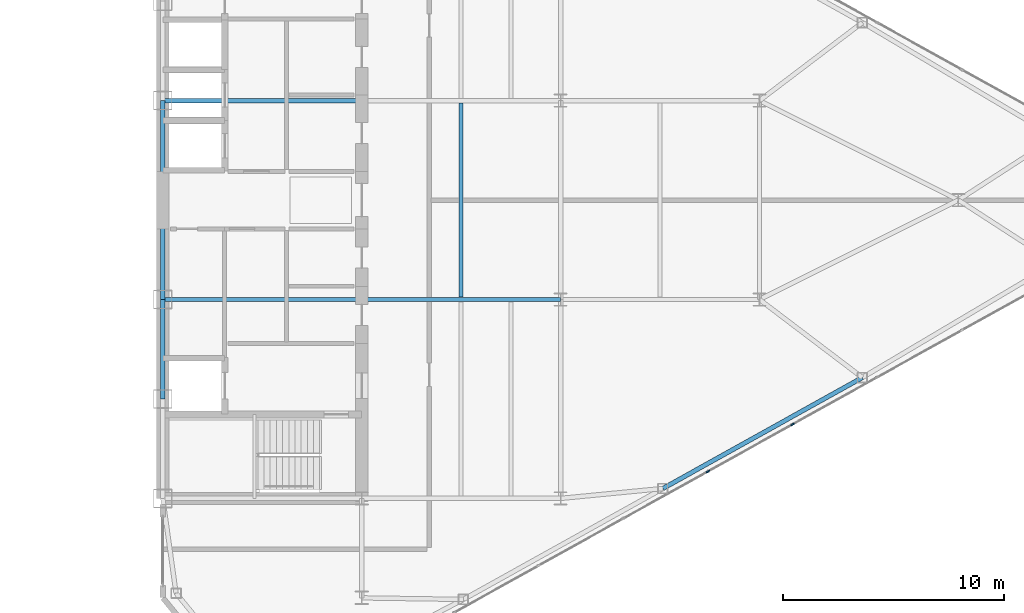
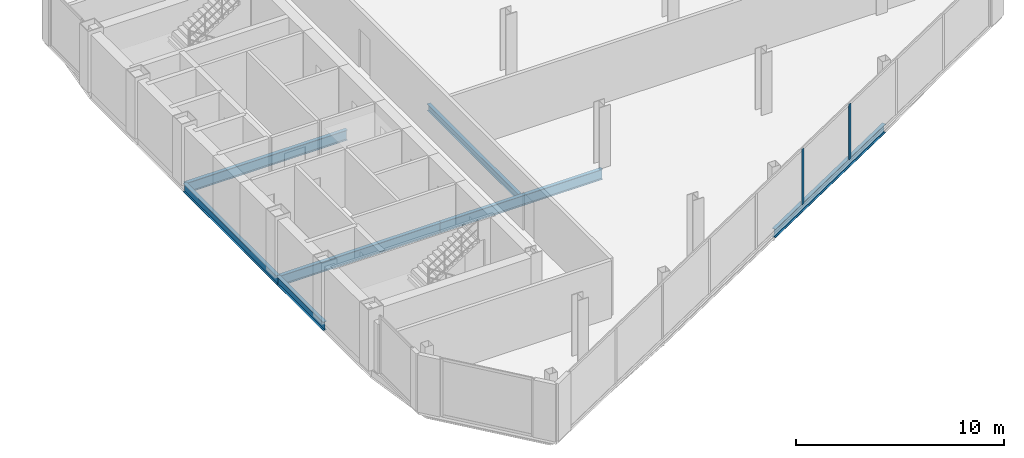
# One storey, part 13 of 26: 7 beams, 2 members, 1 element without a shape of its own.
"""IFC4 building model written with IfcOpenShell, lengths in metres."""

from ifc_helpers import new_model, si_unit, direction, frame, origin, origin_2d, place, context, subcontext, project, spatial, rectangle, i_section, extrude, source, transform, mapped, material, layer, layer_set, material_profile, profile_set, type_object, type_shapes, element, aggregate, save


model = new_model("IFC4")

# Units and contexts
model_context = context("Model", 3, precision=1e-05, world=origin(), true_north=direction((0.0, 1.0)))
body_context = subcontext(model_context, "Body", "Model", "MODEL_VIEW")
ifc_project = project(units=[si_unit("LENGTHUNIT", "METRE"), si_unit("AREAUNIT", "SQUARE_METRE"), si_unit("VOLUMEUNIT", "CUBIC_METRE"), si_unit("PLANEANGLEUNIT", "RADIAN"), si_unit("MASSUNIT", "GRAM", prefix="KILO")], contexts=[model_context])

# Site, building, storey
site_placement = place(None, origin())
site = spatial("IfcSite", under=ifc_project, at=site_placement, CompositionType="ELEMENT")
building_placement = place(site_placement, origin())
building = spatial("IfcBuilding", under=site, at=building_placement, Name="Seokmaru Belvedere", CompositionType="ELEMENT")
storey_placement = place(building_placement, frame((0.0, 0.0, 181.5)))
storey = spatial("IfcBuildingStorey", under=building, at=storey_placement, Name="L48", CompositionType="ELEMENT", Elevation=181.5)

# Beams
ifc_material_1 = material(Name="Steel SM355 (355 MPa)", Category="steel")
ifc_material_profile_1 = material_profile(ifc_material_1, i_section(OverallWidth=0.199951171875, OverallDepth=0.5, WebThickness=0.010009765625, FlangeThickness=0.01611328125, at=origin_2d()), Name="H-500x200x10x16")
ifc_profile_set_1 = profile_set([ifc_material_profile_1], Name="Steel SM355 (355 MPa)")
beam_type_1 = type_object("IfcBeamType", Name="Perimeter Spandrel Beam H-500", PredefinedType="SPANDREL", material=ifc_profile_set_1)
shared_shape_1 = source(origin(), body_context, "Body", "SweptSolid", [
    extrude(i_section(OverallWidth=0.199951171875, OverallDepth=0.5, WebThickness=0.010009765625, FlangeThickness=0.01611328125, at=origin_2d()), origin(), (0.0, 0.0, 1.0), 4.5),
])
beam_1_placement = place(storey_placement, frame((27.5, -9.0, -0.469970703125), z_axis=(0.0, 1.0, 0.0), x_axis=(-1.0, 0.0, 0.0)))
element("IfcBeam", 1, at=beam_1_placement, inside=storey, type_object=beam_type_1, Name="L48 E Portal Spine Spandrel 2", PredefinedType="SPANDREL", context=body_context, shape_type="MappedRepresentation", body=[
    mapped(shared_shape_1, transform((0.0, 0.0, 0.0), scale=1.0)),
])
shared_shape_2 = source(origin(), body_context, "Body", "SweptSolid", [
    extrude(i_section(OverallWidth=0.199951171875, OverallDepth=0.5, WebThickness=0.010009765625, FlangeThickness=0.01611328125, at=origin_2d()), origin(), (0.0, 0.0, 1.0), 9.0),
])
beam_2_placement = place(storey_placement, frame((27.5, -4.5, -0.469970703125), z_axis=(0.0, 1.0, 0.0), x_axis=(-1.0, 0.0, 0.0)))
element("IfcBeam", 2, at=beam_2_placement, inside=storey, type_object=beam_type_1, Name="L48 E Portal Spine Spandrel 3", PredefinedType="SPANDREL", context=body_context, shape_type="MappedRepresentation", body=[
    mapped(shared_shape_2, transform((0.0, 0.0, 0.0), scale=1.0)),
])
ifc_material_profile_2 = material_profile(ifc_material_1, i_section(OverallWidth=0.199951171875, OverallDepth=0.60009765625, WebThickness=0.010986328125, FlangeThickness=0.01708984375, at=origin_2d()), Name="H-600x200x11x17")
ifc_profile_set_2 = profile_set([ifc_material_profile_2], Name="Steel SM355 (355 MPa)")
beam_type_2 = type_object("IfcBeamType", Name="Primary Floor Girder H-600", PredefinedType="BEAM", material=ifc_profile_set_2)
shared_shape_3 = source(origin(), body_context, "Body", "SweptSolid", [
    extrude(i_section(OverallWidth=0.199951171875, OverallDepth=0.60009765625, WebThickness=0.010986328125, FlangeThickness=0.01708984375, at=origin_2d()), origin(), (0.0, 0.0, 1.0), 9.0),
])
type_shapes(beam_type_2, [shared_shape_3])
for number, where, z_axis, x_axis, name in (
    (3, (27.5, -4.5, -0.52001953125), (1.0, 0.0, 0.0), (0.0, 1.0, 0.0), "L48 E Core Tie Girder 2"),
    (4, (36.5, -4.5, -0.52001953125), (1.0, 0.0, 0.0), (0.0, 1.0, 0.0), "L48 E Wing Primary Girder 2"),
    (5, (27.5, 4.5, -0.52001953125), (1.0, 0.0, 0.0), (0.0, 1.0, 0.0), "L48 E Core Tie Girder 3"),
):
    element("IfcBeam", number, at=place(storey_placement, frame(where, z_axis=z_axis, x_axis=x_axis)), inside=storey, type_object=beam_type_2, Name=name, PredefinedType="BEAM", context=body_context, shape_type="MappedRepresentation", body=[
        mapped(shared_shape_3, transform((0.0, 0.0, 0.0), scale=1.0)),
    ])
ifc_material_profile_3 = material_profile(ifc_material_1, i_section(OverallWidth=0.18505859375, OverallDepth=0.389892578125, WebThickness=0.008056640625, FlangeThickness=0.011962890625, at=origin_2d()), Name="H-390x185x8x12")
ifc_profile_set_3 = profile_set([ifc_material_profile_3], Name="Steel SM355 (355 MPa)")
beam_type_3 = type_object("IfcBeamType", Name="Secondary Floor Joist H-350", PredefinedType="JOIST", material=ifc_profile_set_3)
shared_shape_4 = source(origin(), body_context, "Body", "SweptSolid", [
    extrude(i_section(OverallWidth=0.18505859375, OverallDepth=0.389892578125, WebThickness=0.008056640625, FlangeThickness=0.011962890625, at=origin_2d()), origin(), (0.0, 0.0, 1.0), 8.7900390625),
])
type_shapes(beam_type_3, [shared_shape_4])
beam_3_placement = place(storey_placement, frame((41.0, -4.39501953125, -0.4150390625), z_axis=(0.0, 1.0, 0.0), x_axis=(-1.0, 0.0, 0.0)))
element("IfcBeam", 6, at=beam_3_placement, inside=storey, type_object=beam_type_3, Name="L48 E Secondary Floor Joist 2", PredefinedType="JOIST", context=body_context, shape_type="MappedRepresentation", body=[
    mapped(shared_shape_4, transform((0.0, 0.0, 0.0), scale=1.0)),
])
shared_shape_5 = source(origin(), body_context, "Body", "SweptSolid", [
    extrude(i_section(OverallWidth=0.199951171875, OverallDepth=0.5, WebThickness=0.010009765625, FlangeThickness=0.01611328125, at=origin_2d()), origin(), (0.0, 0.0, 1.0), 10.327392578125),
])
type_shapes(beam_type_1, [shared_shape_1, shared_shape_2, shared_shape_5])
beam_4_placement = place(storey_placement, frame((50.129150390625, -13.051025390625, -0.469970703125), z_axis=(0.873934162361, 0.48604431882, 0.0), x_axis=(-0.48604431882, 0.873934162361, 0.0)))
element("IfcBeam", 7, at=beam_4_placement, inside=storey, type_object=beam_type_1, Name="L48 E Faceted Flank Spandrel S-3", PredefinedType="SPANDREL", context=body_context, shape_type="MappedRepresentation", body=[
    mapped(shared_shape_5, transform((0.0, 0.0, 0.0), scale=1.0)),
])

# Curtain wall, members
ifc_material_2 = material(Name="Bronze Triple Insulating Glass", Category="glass")
ifc_layer = layer(ifc_material_2, 0.179931640625)
ifc_layer_set = layer_set([ifc_layer], Name="Bronze Triple Insulating Glass")
curtain_wall_type = type_object("IfcCurtainWallType", Name="High-Rise Wind-Corner Curtain Wall System CW-5", PredefinedType="NOTDEFINED", material=ifc_layer_set)
curtain_wall_placement = place(storey_placement, origin())
curtain_wall = element("IfcCurtainWall", 8, at=curtain_wall_placement, inside=storey, type_object=curtain_wall_type, Name="L48 Curtain Wall EF1", PredefinedType="NOTDEFINED")
ifc_material_3 = material(Name="Anodised Bronze Aluminium", Category="aluminium")
ifc_material_profile_4 = material_profile(ifc_material_3, rectangle(XDim=0.06494140625, YDim=0.179931640625, at=origin_2d()), Name="CW-M-65x180")
ifc_profile_set_4 = profile_set([ifc_material_profile_4], Name="Anodised Bronze Aluminium")
member_type = type_object("IfcMemberType", Name="Bronze Unitised Mullion 65x180", PredefinedType="MULLION", material=ifc_profile_set_4)
shared_shape_6 = source(origin(), body_context, "Body", "SweptSolid", [
    extrude(rectangle(XDim=0.06494140625, YDim=0.179931640625, at=origin_2d()), origin(), (0.0, 0.0, 1.0), 3.25),
])
type_shapes(member_type, [shared_shape_6])
member_1_placement = place(storey_placement, frame((52.166015625, -12.2841796875, 0.06494140625), z_axis=(0.0, 0.0, 1.0), x_axis=(-0.486047125147, 0.873932601598, 0.0)))
member_1 = element("IfcMember", 9, at=member_1_placement, type_object=member_type, Name="CW:L48:EF1 Mullion 6", PredefinedType="MULLION", context=body_context, shape_type="MappedRepresentation", body=[
    mapped(shared_shape_6, transform((0.0, 0.0, 0.0), scale=1.0)),
])
member_2_placement = place(storey_placement, frame((55.998291015625, -10.153076171875, 0.06494140625), z_axis=(0.0, 0.0, 1.0), x_axis=(-0.486047125147, 0.873932601598, 0.0)))
member_2 = element("IfcMember", 10, at=member_2_placement, type_object=member_type, Name="CW:L48:EF1 Mullion 7", PredefinedType="MULLION", context=body_context, shape_type="MappedRepresentation", body=[
    mapped(shared_shape_6, transform((0.0, 0.0, 0.0), scale=1.0)),
])
aggregate(curtain_wall, [member_1, member_2])

save(model, "model.ifc")
